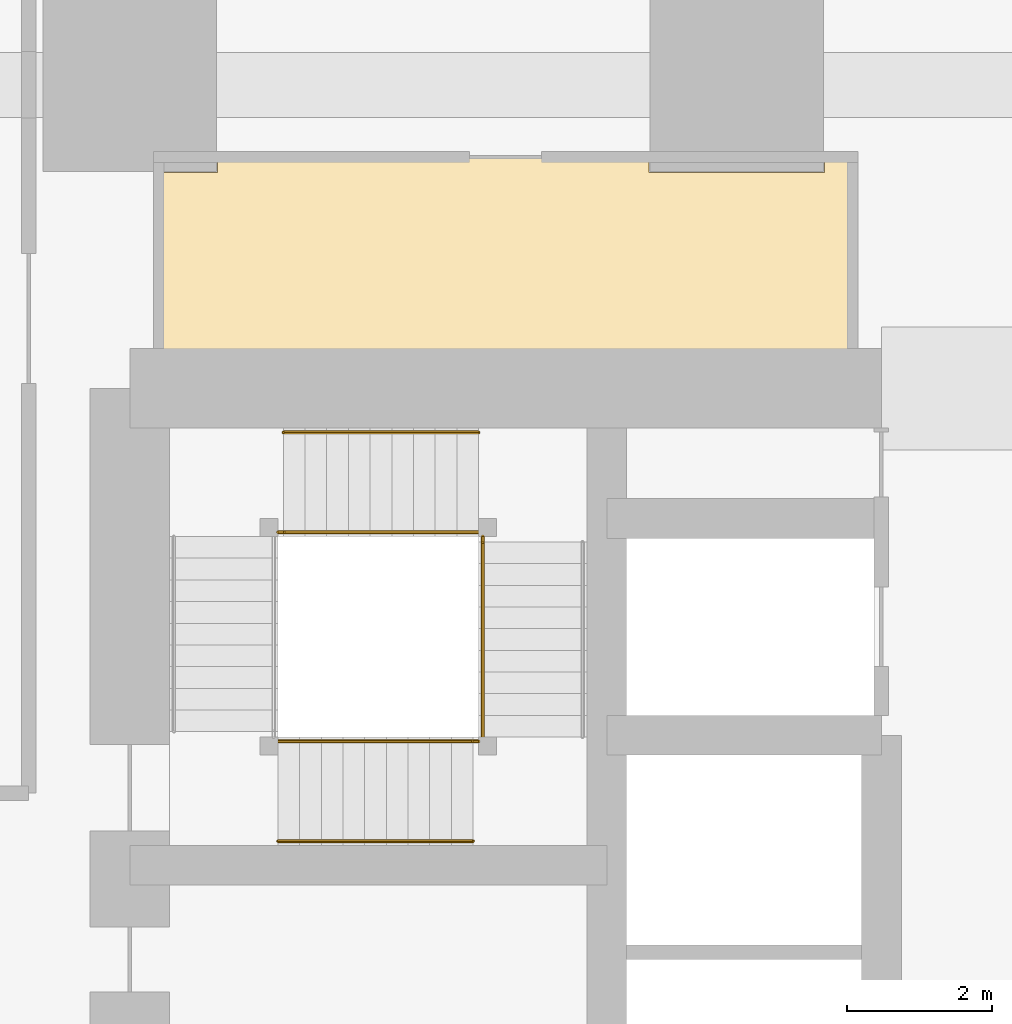
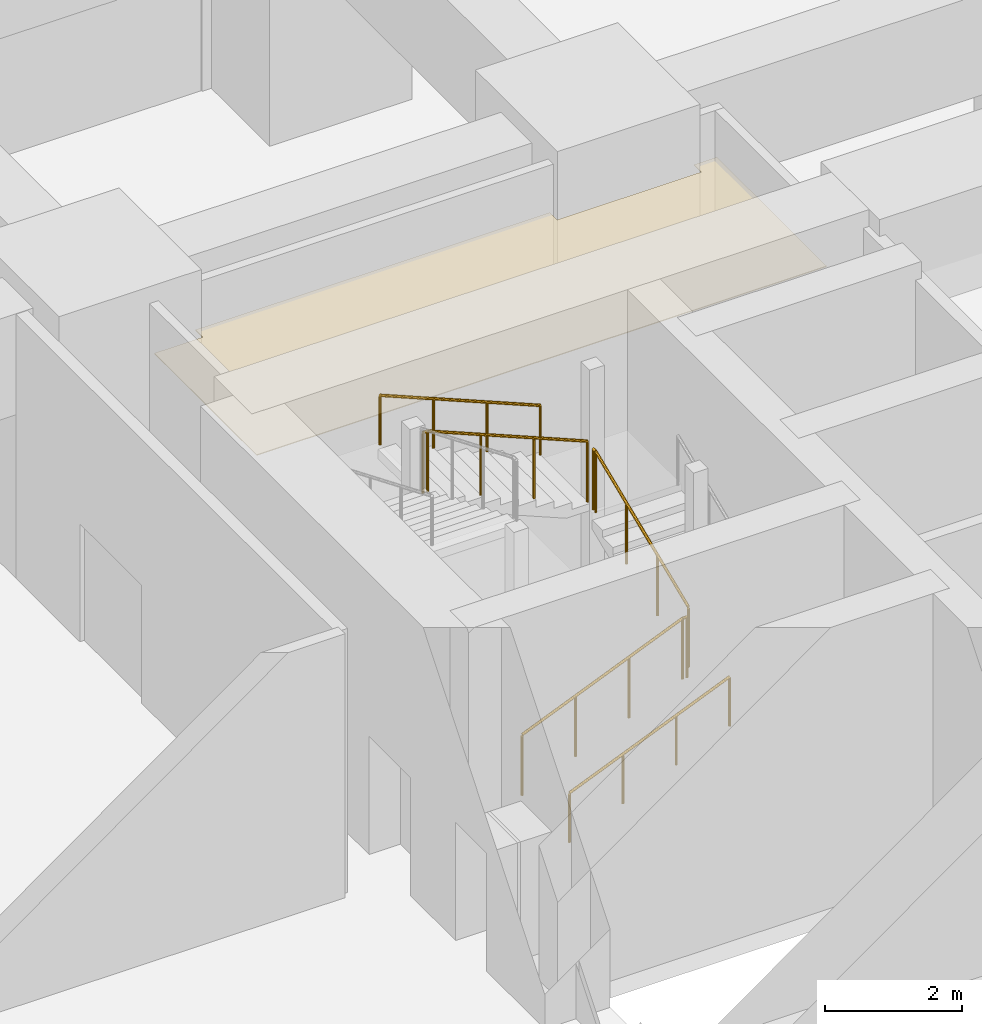
# One storey, part 45 of 48: 8 railings, 1 covering.
"""IFC4 building model written with IfcOpenShell, lengths in metres."""

import ifcopenshell
import ifcopenshell.guid

model = None  # the IFC model being written
_history = None  # IfcOwnerHistory: only IFC2X3 demands one
_inside = {}  # id of a spatial element -> (the spatial element, [elements in it])
_under = {}  # id of a project, library or spatial element -> (it, [spatial elements below it])
_declared = {}  # id of a project -> (the project, [libraries it declares])
_typed = {}  # id of a type object -> (the type object, [elements of that type])
_made_of = {}  # id of a material, layer set ... -> (it, [elements and type objects made of it])


def new_model(schema):
    """Start an empty IFC model of exactly this schema.

    Asked for "IFC4X3", IfcOpenShell would pick the latest addendum, in which some entities
    have other attributes; the version numbers below select the first issue.
    IFC2X3 requires an IfcOwnerHistory on every rooted entity: one is made here for all.
    """
    global model, _history
    if schema == "IFC4X3":
        model = ifcopenshell.file(schema_version=(4, 3, 0, 0))
    else:
        model = ifcopenshell.file(schema=schema)
    _inside.clear()
    _under.clear()
    _declared.clear()
    _typed.clear()
    _made_of.clear()
    _history = None
    if model.schema == "IFC2X3":
        org = make("IfcOrganization", Name="unknown")
        user = make(
            "IfcPersonAndOrganization",
            ThePerson=make("IfcPerson", FamilyName="unknown"),
            TheOrganization=org,
        )
        app = make(
            "IfcApplication",
            ApplicationDeveloper=org,
            Version="unknown",
            ApplicationFullName="unknown",
            ApplicationIdentifier="unknown",
        )
        _history = make(
            "IfcOwnerHistory",
            OwningUser=user,
            OwningApplication=app,
            ChangeAction="ADDED",
            CreationDate=0,
        )
    return model


def make(cls, **values):
    """One entity of the class cls with the attributes given. An attribute that is None is left unset."""
    return model.create_entity(
        cls, **{name: value for name, value in values.items() if value is not None}
    )


def rooted(cls, **values):
    """An entity with a GlobalId (a new one), such as an element, a storey or a relation."""
    return make(cls, GlobalId=ifcopenshell.guid.new(), OwnerHistory=_history, **values)


def si_unit(unit_type, name, prefix=None):
    """IfcSIUnit, for example si_unit("LENGTHUNIT", "METRE", prefix="MILLI")."""
    return make("IfcSIUnit", UnitType=unit_type, Prefix=prefix, Name=name)


def assignment(units):
    """IfcUnitAssignment: the units of a project."""
    return None if units is None else make("IfcUnitAssignment", Units=units)


def point(xyz):
    """IfcCartesianPoint."""
    return None if xyz is None else make("IfcCartesianPoint", Coordinates=xyz)


def direction(xyz):
    """IfcDirection."""
    return None if xyz is None else make("IfcDirection", DirectionRatios=xyz)


def frame(location, z_axis=None, x_axis=None):
    """IfcAxis2Placement3D, a coordinate frame: its origin and axes. An axis left out is left unset."""
    return make(
        "IfcAxis2Placement3D",
        Location=point(location),
        Axis=direction(z_axis),
        RefDirection=direction(x_axis),
    )


def frame_2d(location, x_axis=None):
    """IfcAxis2Placement2D, a coordinate frame in the plane: its origin and x axis."""
    return make(
        "IfcAxis2Placement2D", Location=point(location), RefDirection=direction(x_axis)
    )


def origin():
    """The frame at (0, 0, 0) with its axes left unset."""
    return frame((0.0, 0.0, 0.0))


def origin_2d():
    """The frame at (0, 0) in the plane with its x axis left unset."""
    return frame_2d((0.0, 0.0))


def place(relative_to, where):
    """IfcLocalPlacement: puts the frame where relative to a parent placement (None: the world)."""
    return make(
        "IfcLocalPlacement", PlacementRelTo=relative_to, RelativePlacement=where
    )


def context(
    kind, dimensions, precision=None, world=None, true_north=None, identifier=None
):
    """IfcGeometricRepresentationContext, for example the 3D "Model" context."""
    return make(
        "IfcGeometricRepresentationContext",
        ContextIdentifier=identifier,
        ContextType=kind,
        CoordinateSpaceDimension=dimensions,
        Precision=precision,
        WorldCoordinateSystem=world,
        TrueNorth=true_north,
    )


def subcontext(parent, identifier, kind, view, scale=None):
    """IfcGeometricRepresentationSubContext, for example "Body" below "Model"."""
    return make(
        "IfcGeometricRepresentationSubContext",
        ContextIdentifier=identifier,
        ContextType=kind,
        ParentContext=parent,
        TargetScale=scale,
        TargetView=view,
    )


def project(units=None, contexts=None):
    """IfcProject with its units and contexts."""
    return rooted(
        "IfcProject",
        Name="project",
        RepresentationContexts=contexts,
        UnitsInContext=assignment(units),
    )


def spatial(cls, under=None, at=None, **own):
    """A site, building, storey or space (cls), placed at a placement, below another one or the project."""
    s = rooted(cls, ObjectPlacement=at, **own)
    if under is not None:
        _under.setdefault(under.id(), (under, []))[1].append(s)
    return s


def polyline(points):
    """IfcPolyline through the points."""
    return make("IfcPolyline", Points=[point(p) for p in points])


def profile(cls, at=None, kind="AREA", **sizes):
    """A parametric profile (cls). Its sizes go by their IFC names, for example OverallWidth=200.0."""
    return make(cls, ProfileType=kind, Position=at, **sizes)


def circle(**sizes):
    """IfcCircleProfileDef."""
    return profile("IfcCircleProfileDef", **sizes)


def outline(outer, holes=None, kind="AREA"):
    """IfcArbitraryClosedProfileDef: a profile drawn as a closed curve; with holes, ...WithVoids."""
    if holes is None:
        return make("IfcArbitraryClosedProfileDef", ProfileType=kind, OuterCurve=outer)
    return make(
        "IfcArbitraryProfileDefWithVoids",
        ProfileType=kind,
        OuterCurve=outer,
        InnerCurves=holes,
    )


def extrude(swept, where, along, depth):
    """IfcExtrudedAreaSolid: the profile swept, set in the frame where, extruded along a direction by depth."""
    return make(
        "IfcExtrudedAreaSolid",
        SweptArea=swept,
        Position=where,
        ExtrudedDirection=direction(along),
        Depth=depth,
    )


def shape(context_of_items, identifier, shape_type, items):
    """IfcShapeRepresentation: the items that make up one representation, for example the "Body"."""
    return make(
        "IfcShapeRepresentation",
        ContextOfItems=context_of_items,
        RepresentationIdentifier=identifier,
        RepresentationType=shape_type,
        Items=items,
    )


def material(Name=None, Category=None):
    """IfcMaterial."""
    return make("IfcMaterial", Name=Name, Category=Category)


def layer(
    of_material, thickness, ventilated=None, Name=None, Category=None, Priority=None
):
    """IfcMaterialLayer: one layer of a wall or slab, of a material (None: an air gap)."""
    return make(
        "IfcMaterialLayer",
        Material=of_material,
        LayerThickness=thickness,
        IsVentilated=ventilated,
        Name=Name,
        Category=Category,
        Priority=Priority,
    )


def layer_set(layers, Name=None):
    """IfcMaterialLayerSet."""
    return make("IfcMaterialLayerSet", MaterialLayers=layers, LayerSetName=Name)


def made_of(thing, what):
    """Note that an element or type object is made of a material, layer set ...; save() writes the relation."""
    if what is not None:
        _made_of.setdefault(what.id(), (what, []))[1].append(thing)
    return thing


def type_object(cls, material=None, **own):
    """A type object (cls), such as IfcWallType, which elements share."""
    return made_of(rooted(cls, **own), material)


def element(
    cls,
    number,
    at=None,
    inside=None,
    cuts=None,
    type_object=None,
    material=None,
    context=None,
    identifier="Body",
    shape_type=None,
    held_by="IfcProductDefinitionShape",
    body=None,
    shapes=None,
    **own,
):
    """One element of the class cls, such as IfcWall. Its Tag is "e" and its number.

    at: its placement. inside: the storey or other place that contains it. cuts: it is an
    opening in that element (IfcRelVoidsElement). A single representation is given by context,
    identifier, shape_type and body (its items); several are given by shapes. held_by: the class
    of the entity that holds the representations. save() writes the other relations.
    """
    e = rooted(cls, Tag="e%d" % number, ObjectPlacement=at, **own)
    if body is not None:
        shapes = [shape(context, identifier, shape_type, body)]
    if shapes is not None:
        e.Representation = make(held_by, Representations=shapes)
    if inside is not None:
        _inside.setdefault(inside.id(), (inside, []))[1].append(e)
    if cuts is not None:
        rooted(
            "IfcRelVoidsElement", RelatingBuildingElement=cuts, RelatedOpeningElement=e
        )
    if type_object is not None:
        _typed.setdefault(type_object.id(), (type_object, []))[1].append(e)
    return made_of(e, material)


def aggregate(whole, parts):
    """IfcRelAggregates: a whole, such as a stair, and the parts it consists of."""
    return rooted("IfcRelAggregates", RelatingObject=whole, RelatedObjects=parts)


def save(model, path):
    """Write the relations noted so far, then the file.

    IfcRelAggregates (storeys below a building ...), IfcRelContainedInSpatialStructure (elements
    in a storey), IfcRelDefinesByType, IfcRelAssociatesMaterial and IfcRelDeclares: one each for
    every whole, place, type object, material and project.
    """
    for whole, parts in _under.values():
        aggregate(whole, parts)
    for where, things in _inside.values():
        rooted(
            "IfcRelContainedInSpatialStructure",
            RelatedElements=things,
            RelatingStructure=where,
        )
    for kind, things in _typed.values():
        rooted("IfcRelDefinesByType", RelatedObjects=things, RelatingType=kind)
    for what, things in _made_of.values():
        rooted("IfcRelAssociatesMaterial", RelatedObjects=things, RelatingMaterial=what)
    for by, libraries in _declared.values():
        rooted("IfcRelDeclares", RelatingContext=by, RelatedDefinitions=libraries)
    model.write(path)


model = new_model("IFC4")

# Units and contexts
model_context = context("Model", 3, precision=1e-05, world=origin(), true_north=direction((0.0, 1.0)))
body_context = subcontext(model_context, "Body", "Model", "MODEL_VIEW")
ifc_project = project(units=[si_unit("LENGTHUNIT", "METRE"), si_unit("AREAUNIT", "SQUARE_METRE"), si_unit("VOLUMEUNIT", "CUBIC_METRE"), si_unit("PLANEANGLEUNIT", "RADIAN"), si_unit("MASSUNIT", "GRAM", prefix="KILO")], contexts=[model_context])

# Site, building, storey
site_placement = place(None, origin())
site = spatial("IfcSite", under=ifc_project, at=site_placement, CompositionType="ELEMENT")
building_placement = place(site_placement, origin())
building = spatial("IfcBuilding", under=site, at=building_placement, Name="Rekha Terrace Tower", CompositionType="ELEMENT")
storey_placement = place(building_placement, frame((0.0, 0.0, 15.39990234375)))
storey = spatial("IfcBuildingStorey", under=building, at=storey_placement, Name="L03", CompositionType="ELEMENT", Elevation=15.39990234375)

# Covering
ifc_material_1 = material(Name="Fibre cement board", Category="finish")
ifc_layer = layer(ifc_material_1, 0.014892578125)
ifc_layer_set = layer_set([ifc_layer], Name="Fibre cement board")
covering_type = type_object("IfcCoveringType", Name="CL2 moisture-resistant board ceiling", PredefinedType="CEILING", material=ifc_layer_set)
covering_placement = place(storey_placement, frame((0.0, 0.0, 3.78515625)))
element("IfcCovering", 1, at=covering_placement, inside=storey, type_object=covering_type, Name="Ceiling L03-WCF2", PredefinedType="CEILING", context=body_context, shape_type="SweptSolid", body=[
    extrude(outline(polyline([(26.4150390625, 49.18505859375), (25.60009765625, 49.18505859375), (25.60009765625, 46.199951171875), (35.199951171875, 46.199951171875), (35.199951171875, 49.39990234375), (34.81494140625, 49.39990234375), (34.81494140625, 49.18505859375), (32.385009765625, 49.18505859375), (32.385009765625, 49.39990234375), (26.4150390625, 49.39990234375), (26.4150390625, 49.18505859375)])), origin(), (0.0, 0.0, 1.0), 0.014892578125),
])

# Railings
ifc_material_2 = material(Name="Stainless steel balustrade", Category="steel")
railing_type_1 = type_object("IfcRailingType", Name="GR1 1100 stair guard", PredefinedType="GUARDRAIL", material=ifc_material_2)
railing_1_placement = place(storey_placement, frame((27.25, 41.31494140625, 0.125)))
element("IfcRailing", 2, at=railing_1_placement, inside=storey, type_object=railing_type_1, Name="Guard ST4 L03 flight 1", PredefinedType="GUARDRAIL", context=body_context, shape_type="SweptSolid", body=[
    extrude(circle(Radius=0.02392578125, at=origin_2d()), frame((0.0, 0.0, 1.076171875), z_axis=(0.923074453586, 0.0, 0.384621311341), x_axis=(0.0, 1.0, 0.0)), (0.0, 0.0, 1.0), 2.925048828125),
    extrude(circle(Radius=0.02099609375, at=origin_2d()), origin(), (0.0, 0.0, 1.0), 1.052001953125),
    extrude(circle(Radius=0.02099609375, at=origin_2d()), frame((0.89990234375, 0.0, 0.375)), (0.0, 0.0, 1.0), 1.052001953125),
    extrude(circle(Radius=0.02099609375, at=origin_2d()), frame((1.800048828125, 0.0, 0.75)), (0.0, 0.0, 1.0), 1.052001953125),
    extrude(circle(Radius=0.02099609375, at=origin_2d()), frame((2.699951171875, 0.0, 1.125)), (0.0, 0.0, 1.0), 1.052001953125),
])
railing_2_placement = place(storey_placement, frame((30.0849609375, 41.375, 1.375)))
element("IfcRailing", 3, at=railing_2_placement, inside=storey, type_object=railing_type_1, Name="Guard ST4 L03 flight 2", PredefinedType="GUARDRAIL", context=body_context, shape_type="SweptSolid", body=[
    extrude(circle(Radius=0.02392578125, at=origin_2d()), frame((0.0, 0.0, 1.076171875), z_axis=(0.0, 0.923074453586, 0.384621311341), x_axis=(-1.0, 0.0, 0.0)), (0.0, 0.0, 1.0), 2.925048828125),
    extrude(circle(Radius=0.02099609375, at=origin_2d()), origin(), (0.0, 0.0, 1.0), 1.052001953125),
    extrude(circle(Radius=0.02099609375, at=origin_2d()), frame((0.0, 0.89990234375, 0.375)), (0.0, 0.0, 1.0), 1.052001953125),
    extrude(circle(Radius=0.02099609375, at=origin_2d()), frame((0.0, 1.800048828125, 0.75)), (0.0, 0.0, 1.0), 1.052001953125),
    extrude(circle(Radius=0.02099609375, at=origin_2d()), frame((0.0, 2.699951171875, 1.125)), (0.0, 0.0, 1.0), 1.052001953125),
])
railing_3_placement = place(storey_placement, frame((30.02490234375, 44.2099609375, 2.625)))
element("IfcRailing", 4, at=railing_3_placement, inside=storey, type_object=railing_type_1, Name="Guard ST4 L03 flight 3", PredefinedType="GUARDRAIL", context=body_context, shape_type="SweptSolid", body=[
    extrude(circle(Radius=0.02392578125, at=origin_2d()), frame((0.0, 0.0, 1.076171875), z_axis=(-0.923074453586, 0.0, 0.384621311341), x_axis=(0.0, -1.0, 0.0)), (0.0, 0.0, 1.0), 2.925048828125),
    extrude(circle(Radius=0.02099609375, at=origin_2d()), origin(), (0.0, 0.0, 1.0), 1.052001953125),
    extrude(circle(Radius=0.02099609375, at=origin_2d()), frame((-0.89990234375, 0.0, 0.375)), (0.0, 0.0, 1.0), 1.052001953125),
    extrude(circle(Radius=0.02099609375, at=origin_2d()), frame((-1.800048828125, 0.0, 0.75)), (0.0, 0.0, 1.0), 1.052001953125),
    extrude(circle(Radius=0.02099609375, at=origin_2d()), frame((-2.699951171875, 0.0, 1.125)), (0.0, 0.0, 1.0), 1.052001953125),
])
railing_4_placement = place(storey_placement, frame((29.949951171875, 41.31494140625, 1.25)))
element("IfcRailing", 5, at=railing_4_placement, inside=storey, type_object=railing_type_1, Name="Guard ST4 L03 landing 1", PredefinedType="GUARDRAIL", context=body_context, shape_type="SweptSolid", body=[
    extrude(circle(Radius=0.02392578125, at=origin_2d()), frame((0.0, 0.0, 1.076171875), z_axis=(1.0, 0.0, 0.0), x_axis=(0.0, 1.0, 0.0)), (0.0, 0.0, 1.0), 0.074951171875),
    extrude(circle(Radius=0.02099609375, at=origin_2d()), origin(), (0.0, 0.0, 1.0), 1.052001953125),
    extrude(circle(Radius=0.02099609375, at=origin_2d()), frame((0.074951171875, 0.0, 0.0)), (0.0, 0.0, 1.0), 1.052001953125),
])
railing_5_placement = place(storey_placement, frame((30.0849609375, 44.074951171875, 2.5)))
element("IfcRailing", 6, at=railing_5_placement, inside=storey, type_object=railing_type_1, Name="Guard ST4 L03 landing 2", PredefinedType="GUARDRAIL", context=body_context, shape_type="SweptSolid", body=[
    extrude(circle(Radius=0.02392578125, at=origin_2d()), frame((0.0, 0.0, 1.076171875), z_axis=(0.0, 1.0, 0.0), x_axis=(-1.0, 0.0, 0.0)), (0.0, 0.0, 1.0), 0.074951171875),
    extrude(circle(Radius=0.02099609375, at=origin_2d()), origin(), (0.0, 0.0, 1.0), 1.052001953125),
    extrude(circle(Radius=0.02099609375, at=origin_2d()), frame((0.0, 0.074951171875, 0.0)), (0.0, 0.0, 1.0), 1.052001953125),
])
railing_6_placement = place(storey_placement, frame((27.25, 44.2099609375, 3.75)))
element("IfcRailing", 7, at=railing_6_placement, inside=storey, type_object=railing_type_1, Name="Guard ST4 L03 landing 3", PredefinedType="GUARDRAIL", context=body_context, shape_type="SweptSolid", body=[
    extrude(circle(Radius=0.02392578125, at=origin_2d()), frame((0.0, 0.0, 1.076171875), z_axis=(1.0, 0.0, 0.0), x_axis=(0.0, 1.0, 0.0)), (0.0, 0.0, 1.0), 0.074951171875),
    extrude(circle(Radius=0.02099609375, at=origin_2d()), origin(), (0.0, 0.0, 1.0), 1.052001953125),
    extrude(circle(Radius=0.02099609375, at=origin_2d()), frame((0.074951171875, 0.0, 0.0)), (0.0, 0.0, 1.0), 1.052001953125),
])
ifc_material_3 = material(Name="Stainless steel tube", Category="steel")
railing_type_2 = type_object("IfcRailingType", Name="HR1 900 stair handrail", PredefinedType="HANDRAIL", material=ifc_material_3)
railing_7_placement = place(storey_placement, frame((27.25, 39.93505859375, 0.125)))
element("IfcRailing", 8, at=railing_7_placement, inside=storey, type_object=railing_type_2, Name="Handrail ST4 L03 flight 1", PredefinedType="HANDRAIL", context=body_context, shape_type="SweptSolid", body=[
    extrude(circle(Radius=0.02392578125, at=origin_2d()), frame((0.0, 0.0, 0.8759765625), z_axis=(0.923074453586, 0.0, 0.384621311341), x_axis=(0.0, 1.0, 0.0)), (0.0, 0.0, 1.0), 2.925048828125),
    extrude(circle(Radius=0.02099609375, at=origin_2d()), origin(), (0.0, 0.0, 1.0), 0.851806640625),
    extrude(circle(Radius=0.02099609375, at=origin_2d()), frame((0.89990234375, 0.0, 0.375)), (0.0, 0.0, 1.0), 0.851806640625),
    extrude(circle(Radius=0.02099609375, at=origin_2d()), frame((1.800048828125, 0.0, 0.75)), (0.0, 0.0, 1.0), 0.851806640625),
    extrude(circle(Radius=0.02099609375, at=origin_2d()), frame((2.699951171875, 0.0, 1.125)), (0.0, 0.0, 1.0), 0.851806640625),
])
railing_8_placement = place(storey_placement, frame((30.02490234375, 45.590087890625, 2.625)))
element("IfcRailing", 9, at=railing_8_placement, inside=storey, type_object=railing_type_2, Name="Handrail ST4 L03 flight 3", PredefinedType="HANDRAIL", context=body_context, shape_type="SweptSolid", body=[
    extrude(circle(Radius=0.02392578125, at=origin_2d()), frame((0.0, 0.0, 0.8759765625), z_axis=(-0.923074453586, 0.0, 0.384621311341), x_axis=(0.0, -1.0, 0.0)), (0.0, 0.0, 1.0), 2.925048828125),
    extrude(circle(Radius=0.02099609375, at=origin_2d()), origin(), (0.0, 0.0, 1.0), 0.851806640625),
    extrude(circle(Radius=0.02099609375, at=origin_2d()), frame((-0.89990234375, 0.0, 0.375)), (0.0, 0.0, 1.0), 0.851806640625),
    extrude(circle(Radius=0.02099609375, at=origin_2d()), frame((-1.800048828125, 0.0, 0.75)), (0.0, 0.0, 1.0), 0.851806640625),
    extrude(circle(Radius=0.02099609375, at=origin_2d()), frame((-2.699951171875, 0.0, 1.125)), (0.0, 0.0, 1.0), 0.851806640625),
])

save(model, "model.ifc")
